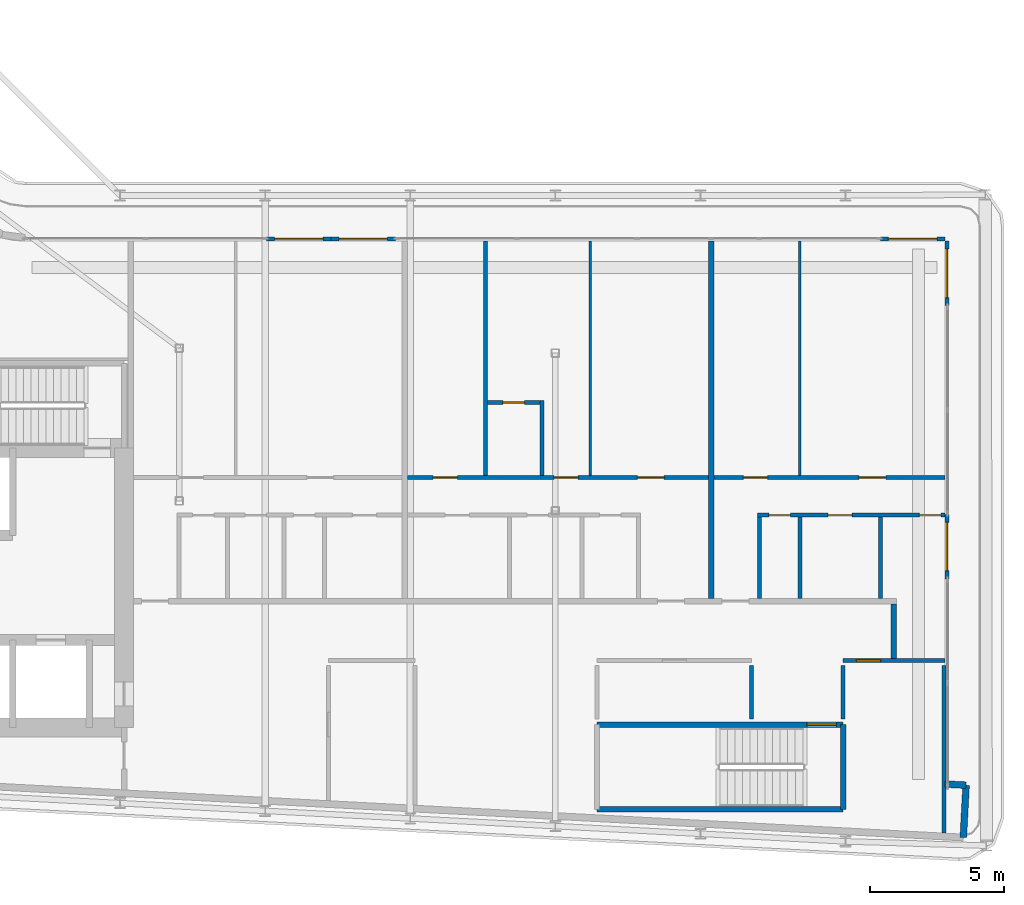
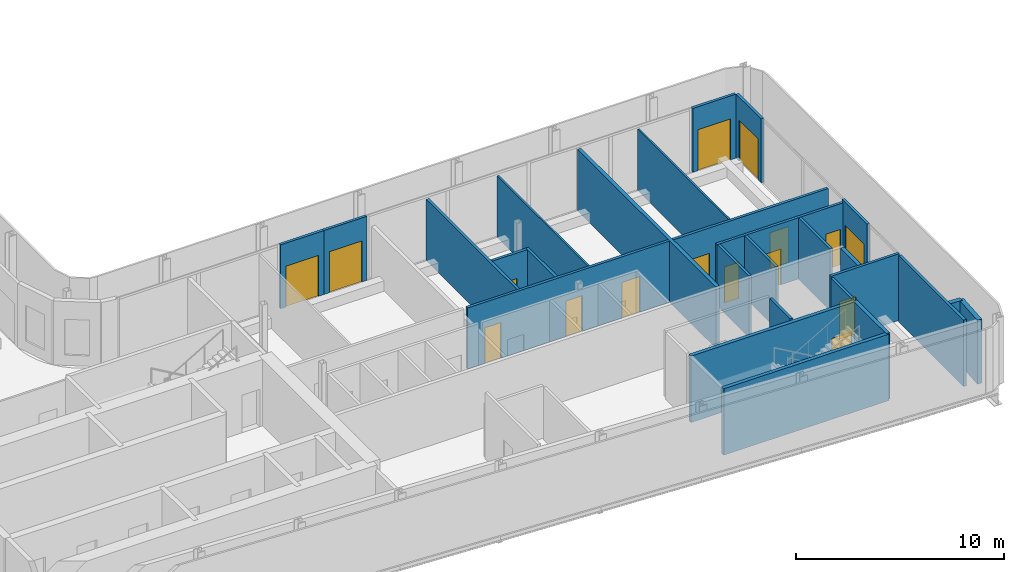
# One storey, part 12 of 22: 27 walls, 16 doors, 16 openings.
"""IFC4 building model written with IfcOpenShell, lengths in metres."""

from ifc_helpers import new_model, si_unit, direction, frame, frame_2d, origin, place, context, subcontext, project, spatial, rectangle, extrude, source, transform, mapped, material, layer, layer_set, type_object, element, fill, save


model = new_model("IFC4")

# Units and contexts
model_context = context("Model", 3, precision=1e-05, world=origin(), true_north=direction((0.0, 1.0)))
body_context = subcontext(model_context, "Body", "Model", "MODEL_VIEW")
ifc_project = project(units=[si_unit("LENGTHUNIT", "METRE"), si_unit("AREAUNIT", "SQUARE_METRE"), si_unit("VOLUMEUNIT", "CUBIC_METRE"), si_unit("PLANEANGLEUNIT", "RADIAN"), si_unit("MASSUNIT", "GRAM", prefix="KILO")], contexts=[model_context])

# Site, building, storey
site_placement = place(None, origin())
site = spatial("IfcSite", under=ifc_project, at=site_placement, CompositionType="ELEMENT")
building_placement = place(site_placement, origin())
building = spatial("IfcBuilding", under=site, at=building_placement, Name="Kheshtan School and Residences Tower", CompositionType="ELEMENT")
storey_placement = place(building_placement, frame((0.0, 0.0, 251.300048828125)))
storey = spatial("IfcBuildingStorey", under=building, at=storey_placement, Name="L59", CompositionType="ELEMENT", Elevation=251.300048828125)

# Walls
ifc_material_1 = material(Name="Gypsum board on steel studs with fire boards", Category="steel")
ifc_layer_1 = layer(ifc_material_1, 0.199951171875)
ifc_layer_set_1 = layer_set([ifc_layer_1], Name="Corridor wall 200")
wall_type_1 = type_object("IfcWallType", Name="Corridor wall 200", PredefinedType="PARTITIONING", material=ifc_layer_set_1)
wall_1_placement = place(storey_placement, frame((81.800048828125, 28.3740234375, 0.0), z_axis=(0.0, 0.0, 1.0), x_axis=(0.0, 1.0, 0.0)))
element("IfcWall", 1, at=wall_1_placement, inside=storey, type_object=wall_type_1, Name="Partition L59-056", PredefinedType="PARTITIONING", context=body_context, shape_type="SweptSolid", body=[
    extrude(rectangle(XDim=2.02587890625, YDim=0.199951171875, at=frame_2d((1.012939453125, 0.0))), origin(), (0.0, 0.0, 1.0), 3.599853515625),
])
ifc_material_2 = material(Name="Concrete C40/50 with ceramic cladding and mineral wool insulation", Category="concrete")
ifc_layer_2 = layer(ifc_material_2, 0.25)
ifc_layer_set_2 = layer_set([ifc_layer_2], Name="External wall 250 ceramic clad")
wall_type_2 = type_object("IfcWallType", Name="External wall 250 ceramic clad", PredefinedType="SOLIDWALL", material=ifc_layer_set_2)
wall_2_placement = place(storey_placement, frame((83.70703125, 23.69189453125, 0.0), z_axis=(0.0, 0.0, 1.0), x_axis=(0.998561284263, -0.053622398031, 0.0)))
element("IfcWall", 2, at=wall_2_placement, inside=storey, type_object=wall_type_2, Name="External wall L59 14", PredefinedType="SOLIDWALL", context=body_context, shape_type="SweptSolid", body=[
    extrude(rectangle(XDim=0.783203125, YDim=0.25, at=frame_2d((0.3916015625, 0.0))), origin(), (0.0, 0.0, 1.0), 3.75),
])
wall_3_placement = place(storey_placement, frame((84.489013671875, 23.64990234375, 0.0), z_axis=(0.0, 0.0, 1.0), x_axis=(-0.052841433274, -0.998602915542, 0.0)))
element("IfcWall", 3, at=wall_3_placement, inside=storey, type_object=wall_type_2, Name="External wall L59 15", PredefinedType="SOLIDWALL", context=body_context, shape_type="SweptSolid", body=[
    extrude(rectangle(XDim=1.94970703125, YDim=0.25, at=frame_2d((0.974853515625, 0.0))), origin(), (0.0, 0.0, 1.0), 3.75),
])

# Wall, opening, door
ifc_material_3 = material(Name="Aluminium frame wall with insulated infill", Category="aluminium")
ifc_layer_3 = layer(ifc_material_3, 0.14990234375)
ifc_layer_set_3 = layer_set([ifc_layer_3], Name="Glazing frame wall 150")
wall_type_3 = type_object("IfcWallType", Name="Glazing frame wall 150", PredefinedType="SOLIDWALL", material=ifc_layer_set_3)
wall_4_placement = place(storey_placement, frame((58.452880859375, 43.97509765625, 0.0), z_axis=(0.0, 0.0, 1.0), x_axis=(1.0, 0.0, 0.0)))
wall_4 = element("IfcWall", 4, at=wall_4_placement, inside=storey, type_object=wall_type_3, Name="Balcony door wall L59 12.1", PredefinedType="SOLIDWALL", context=body_context, shape_type="SweptSolid", body=[
    extrude(rectangle(XDim=2.400146484375, YDim=0.14990234375, at=frame_2d((1.2001953125, 0.0))), origin(), (0.0, 0.0, 1.0), 3.75),
])
opening_1_placement = place(wall_4_placement, frame((0.300048828125, 0.0, 0.0)))
opening_1 = element("IfcOpeningElement", 5, at=opening_1_placement, cuts=wall_4, Name="Opening BD", PredefinedType="OPENING", context=body_context, shape_type="SweptSolid", body=[
    extrude(rectangle(XDim=1.800048828125, YDim=2.39990234375, at=frame_2d((0.89990234375, 1.199951171875))), frame((0.0, 0.0849609375, 0.0), z_axis=(0.0, -1.0, 0.0), x_axis=(1.0, 0.0, 0.0)), (0.0, 0.0, 1.0), 0.169921875),
])
ifc_material_4 = material(Name="Clear low-e glass in thermally broken aluminium frame", Category="aluminium")
door_type_1 = type_object("IfcDoorType", Name="Balcony sliding door", OperationType="SLIDING_TO_LEFT", PredefinedType="DOOR", material=ifc_material_4)
shared_shape_1 = source(origin(), body_context, "Body", "SweptSolid", [
    extrude(rectangle(XDim=1.800048828125, YDim=2.39990234375, at=frame_2d((0.89990234375, 1.199951171875))), frame((0.0, 0.02490234375, 0.0), z_axis=(0.0, -1.0, 0.0), x_axis=(1.0, 0.0, 0.0)), (0.0, 0.0, 1.0), 0.050048828125),
])
door_1_placement = place(opening_1_placement, origin())
door_1 = element("IfcDoor", 6, at=door_1_placement, inside=storey, type_object=door_type_1, Name="Balcony door L59 12.1", OperationType="SLIDING_TO_LEFT", OverallHeight=2.39990234375, OverallWidth=1.800048828125, PredefinedType="DOOR", context=body_context, shape_type="MappedRepresentation", body=[
    mapped(shared_shape_1, transform((0.0, 0.0, 0.0), x_axis=(1.0, 0.0, 0.0), y_axis=(0.0, 1.0, 0.0), z_axis=(0.0, 0.0, 1.0), scale=1.0)),
])
fill(opening_1, door_1)

wall_5_placement = place(storey_placement, frame((60.85302734375, 43.97509765625, 0.0), z_axis=(0.0, 0.0, 1.0), x_axis=(1.0, 0.0, 0.0)))
wall_5 = element("IfcWall", 7, at=wall_5_placement, inside=storey, type_object=wall_type_3, Name="Balcony door wall L59 12.2", PredefinedType="SOLIDWALL", context=body_context, shape_type="SweptSolid", body=[
    extrude(rectangle(XDim=2.39990234375, YDim=0.14990234375, at=frame_2d((1.199951171875, 0.0))), origin(), (0.0, 0.0, 1.0), 3.75),
])
opening_2_placement = place(wall_5_placement, frame((0.300048828125, 0.0, 0.0)))
opening_2 = element("IfcOpeningElement", 8, at=opening_2_placement, cuts=wall_5, Name="Opening BD", PredefinedType="OPENING", context=body_context, shape_type="SweptSolid", body=[
    extrude(rectangle(XDim=1.800048828125, YDim=2.39990234375, at=frame_2d((0.89990234375, 1.199951171875))), frame((0.0, 0.0849609375, 0.0), z_axis=(0.0, -1.0, 0.0), x_axis=(1.0, 0.0, 0.0)), (0.0, 0.0, 1.0), 0.169921875),
])
door_2_placement = place(opening_2_placement, origin())
door_2 = element("IfcDoor", 9, at=door_2_placement, inside=storey, type_object=door_type_1, Name="Balcony door L59 12.2", OperationType="SLIDING_TO_LEFT", OverallHeight=2.39990234375, OverallWidth=1.800048828125, PredefinedType="DOOR", context=body_context, shape_type="MappedRepresentation", body=[
    mapped(shared_shape_1, transform((0.0, 0.0, 0.0), x_axis=(1.0, 0.0, 0.0), y_axis=(0.0, 1.0, 0.0), z_axis=(0.0, 0.0, 1.0), scale=1.0)),
])
fill(opening_2, door_2)

wall_6_placement = place(storey_placement, frame((81.300048828125, 43.97509765625, 0.0), z_axis=(0.0, 0.0, 1.0), x_axis=(1.0, 0.0, 0.0)))
wall_6 = element("IfcWall", 10, at=wall_6_placement, inside=storey, type_object=wall_type_3, Name="Balcony door wall L59 12.3", PredefinedType="SOLIDWALL", context=body_context, shape_type="SweptSolid", body=[
    extrude(rectangle(XDim=2.39990234375, YDim=0.14990234375, at=frame_2d((1.199951171875, 0.0))), origin(), (0.0, 0.0, 1.0), 3.75),
])
opening_3_placement = place(wall_6_placement, frame((0.300048828125, 0.0, 0.0)))
opening_3 = element("IfcOpeningElement", 11, at=opening_3_placement, cuts=wall_6, Name="Opening BD", PredefinedType="OPENING", context=body_context, shape_type="SweptSolid", body=[
    extrude(rectangle(XDim=1.800048828125, YDim=2.39990234375, at=frame_2d((0.89990234375, 1.199951171875))), frame((0.0, 0.0849609375, 0.0), z_axis=(0.0, -1.0, 0.0), x_axis=(1.0, 0.0, 0.0)), (0.0, 0.0, 1.0), 0.169921875),
])
door_3_placement = place(opening_3_placement, origin())
door_3 = element("IfcDoor", 12, at=door_3_placement, inside=storey, type_object=door_type_1, Name="Balcony door L59 12.3", OperationType="SLIDING_TO_LEFT", OverallHeight=2.39990234375, OverallWidth=1.800048828125, PredefinedType="DOOR", context=body_context, shape_type="MappedRepresentation", body=[
    mapped(shared_shape_1, transform((0.0, 0.0, 0.0), x_axis=(1.0, 0.0, 0.0), y_axis=(0.0, 1.0, 0.0), z_axis=(0.0, 0.0, 1.0), scale=1.0)),
])
fill(opening_3, door_3)

wall_7_placement = place(storey_placement, frame((83.77490234375, 43.89990234375, 0.0), z_axis=(0.0, 0.0, 1.0), x_axis=(0.0, -1.0, 0.0)))
wall_7 = element("IfcWall", 13, at=wall_7_placement, inside=storey, type_object=wall_type_3, Name="Balcony door wall L59 13.1", PredefinedType="SOLIDWALL", context=body_context, shape_type="SweptSolid", body=[
    extrude(rectangle(XDim=2.39990234375, YDim=0.14990234375, at=frame_2d((1.199951171875, 0.0))), origin(), (0.0, 0.0, 1.0), 3.75),
])
opening_4_placement = place(wall_7_placement, frame((0.300048828125, 0.0, 0.0)))
opening_4 = element("IfcOpeningElement", 14, at=opening_4_placement, cuts=wall_7, Name="Opening BD", PredefinedType="OPENING", context=body_context, shape_type="SweptSolid", body=[
    extrude(rectangle(XDim=1.800048828125, YDim=2.39990234375, at=frame_2d((0.89990234375, 1.199951171875))), frame((0.0, 0.0849609375, 0.0), z_axis=(0.0, -1.0, 0.0), x_axis=(1.0, 0.0, 0.0)), (0.0, 0.0, 1.0), 0.169921875),
])
door_4_placement = place(opening_4_placement, origin())
door_4 = element("IfcDoor", 15, at=door_4_placement, inside=storey, type_object=door_type_1, Name="Balcony door L59 13.1", OperationType="SLIDING_TO_LEFT", OverallHeight=2.39990234375, OverallWidth=1.800048828125, PredefinedType="DOOR", context=body_context, shape_type="MappedRepresentation", body=[
    mapped(shared_shape_1, transform((0.0, 0.0, 0.0), x_axis=(1.0, 0.0, 0.0), y_axis=(0.0, 1.0, 0.0), z_axis=(0.0, 0.0, 1.0), scale=1.0)),
])
fill(opening_4, door_4)

wall_8_placement = place(storey_placement, frame((83.77490234375, 33.73291015625, 0.0), z_axis=(0.0, 0.0, 1.0), x_axis=(0.0, -1.0, 0.0)))
wall_8 = element("IfcWall", 16, at=wall_8_placement, inside=storey, type_object=wall_type_3, Name="Balcony door wall L59 13.2", PredefinedType="SOLIDWALL", context=body_context, shape_type="SweptSolid", body=[
    extrude(rectangle(XDim=2.39892578125, YDim=0.14990234375, at=frame_2d((1.199462890625, 0.0))), origin(), (0.0, 0.0, 1.0), 3.75),
])
opening_5_placement = place(wall_8_placement, frame((0.300048828125, 0.0, 0.0)))
opening_5 = element("IfcOpeningElement", 17, at=opening_5_placement, cuts=wall_8, Name="Opening BD", PredefinedType="OPENING", context=body_context, shape_type="SweptSolid", body=[
    extrude(rectangle(XDim=1.800048828125, YDim=2.39990234375, at=frame_2d((0.89990234375, 1.199951171875))), frame((0.0, 0.0849609375, 0.0), z_axis=(0.0, -1.0, 0.0), x_axis=(1.0, 0.0, 0.0)), (0.0, 0.0, 1.0), 0.169921875),
])
door_5_placement = place(opening_5_placement, origin())
door_5 = element("IfcDoor", 18, at=door_5_placement, inside=storey, type_object=door_type_1, Name="Balcony door L59 13.2", OperationType="SLIDING_TO_LEFT", OverallHeight=2.39990234375, OverallWidth=1.800048828125, PredefinedType="DOOR", context=body_context, shape_type="MappedRepresentation", body=[
    mapped(shared_shape_1, transform((0.0, 0.0, 0.0), x_axis=(1.0, 0.0, 0.0), y_axis=(0.0, 1.0, 0.0), z_axis=(0.0, 0.0, 1.0), scale=1.0)),
])
fill(opening_5, door_5)

# Walls
ifc_material_5 = material(Name="Gypsum board on steel studs", Category="steel")
ifc_layer_4 = layer(ifc_material_5, 0.10009765625)
ifc_layer_set_4 = layer_set([ifc_layer_4], Name="Gypsum partition 100")
wall_type_4 = type_object("IfcWallType", Name="Gypsum partition 100", PredefinedType="PARTITIONING", material=ifc_layer_set_4)
for number, where, z_axis, x_axis, name in (
    (19, (70.5, 35.175048828125, 0.0), (0.0, 0.0, 1.0), (0.0, 1.0, 0.0), "Partition L59-047"),
    (20, (78.300048828125, 35.175048828125, 0.0), (0.0, 0.0, 1.0), (0.0, 1.0, 0.0), "Partition L59-054"),
):
    element("IfcWall", number, at=place(storey_placement, frame(where, z_axis=z_axis, x_axis=x_axis)), inside=storey, type_object=wall_type_4, Name=name, PredefinedType="PARTITIONING", context=body_context, shape_type="SweptSolid", body=[
        extrude(rectangle(XDim=8.724853515625, YDim=0.10009765625, at=frame_2d((4.3623046875, 0.0))), origin(), (0.0, 0.0, 1.0), 3.599853515625),
    ])
ifc_material_6 = material(Name="Fire-board shaft wall system")
ifc_layer_5 = layer(ifc_material_6, 0.14990234375)
ifc_layer_set_5 = layer_set([ifc_layer_5], Name="Service room wall 150")
wall_type_5 = type_object("IfcWallType", Name="Service room wall 150", PredefinedType="PARTITIONING", material=ifc_layer_set_5)
wall_9_placement = place(storey_placement, frame((76.510009765625, 26.1201171875, 0.0), z_axis=(0.0, 0.0, 1.0), x_axis=(0.0, 1.0, 0.0)))
element("IfcWall", 21, at=wall_9_placement, inside=storey, type_object=wall_type_5, Name="Service room wall", PredefinedType="PARTITIONING", context=body_context, shape_type="SweptSolid", body=[
    extrude(rectangle(XDim=1.98486328125, YDim=0.14990234375, at=frame_2d((0.992431640625, 0.0))), origin(), (0.0, 0.0, 1.0), 3.89990234375),
])

# Wall, opening, door
wall_10_placement = place(storey_placement, frame((79.909912109375, 28.300048828125, 0.0), z_axis=(0.0, 0.0, 1.0), x_axis=(1.0, 0.0, 0.0)))
wall_10 = element("IfcWall", 22, at=wall_10_placement, inside=storey, type_object=wall_type_5, Name="Service room wall", PredefinedType="PARTITIONING", context=body_context, shape_type="SweptSolid", body=[
    extrude(rectangle(XDim=3.7880859375, YDim=0.14990234375, at=frame_2d((1.89404296875, 0.0))), origin(), (0.0, 0.0, 1.0), 3.89990234375),
])
opening_6_placement = place(wall_10_placement, frame((0.4951171875, 0.0, 0.0)))
opening_6 = element("IfcOpeningElement", 23, at=opening_6_placement, cuts=wall_10, Name="Opening SR90", PredefinedType="OPENING", context=body_context, shape_type="SweptSolid", body=[
    extrude(rectangle(XDim=0.89990234375, YDim=2.199951171875, at=frame_2d((0.449951171875, 1.10009765625))), frame((0.0, 0.0849609375, 0.0), z_axis=(0.0, -1.0, 0.0), x_axis=(1.0, 0.0, 0.0)), (0.0, 0.0, 1.0), 0.169921875),
])
ifc_material_7 = material(Name="Steel door leaf, galvanised", Category="steel")
door_type_2 = type_object("IfcDoorType", Name="Service room door 900 steel 90 min", OperationType="SINGLE_SWING_LEFT", PredefinedType="DOOR", material=ifc_material_7)
shared_shape_2 = source(origin(), body_context, "Body", "SweptSolid", [
    extrude(rectangle(XDim=0.89990234375, YDim=2.199951171875, at=frame_2d((0.449951171875, 1.10009765625))), frame((0.0, 0.02490234375, 0.0), z_axis=(0.0, -1.0, 0.0), x_axis=(1.0, 0.0, 0.0)), (0.0, 0.0, 1.0), 0.050048828125),
])
door_6_placement = place(opening_6_placement, origin())
door_6 = element("IfcDoor", 24, at=door_6_placement, inside=storey, type_object=door_type_2, Name="Service room door", OperationType="SINGLE_SWING_RIGHT", OverallHeight=2.199951171875, OverallWidth=0.89990234375, PredefinedType="DOOR", context=body_context, shape_type="MappedRepresentation", body=[
    mapped(shared_shape_2, transform((0.0, 0.0, 0.0), x_axis=(1.0, 0.0, 0.0), y_axis=(0.0, 1.0, 0.0), z_axis=(0.0, 0.0, 1.0), scale=1.0)),
])
fill(opening_6, door_6)

# Walls
wall_11_placement = place(storey_placement, frame((79.909912109375, 26.1201171875, 0.0), z_axis=(0.0, 0.0, 1.0), x_axis=(0.0, 1.0, 0.0)))
element("IfcWall", 25, at=wall_11_placement, inside=storey, type_object=wall_type_5, Name="Service room wall", PredefinedType="PARTITIONING", context=body_context, shape_type="SweptSolid", body=[
    extrude(rectangle(XDim=1.98486328125, YDim=0.14990234375, at=frame_2d((0.992431640625, 0.0))), origin(), (0.0, 0.0, 1.0), 3.89990234375),
])
wall_12_placement = place(storey_placement, frame((83.669921875, 21.867919921875, 0.0), z_axis=(0.0, 0.0, 1.0), x_axis=(0.0, 1.0, 0.0)))
element("IfcWall", 26, at=wall_12_placement, inside=storey, type_object=wall_type_5, Name="Service room wall", PredefinedType="PARTITIONING", context=body_context, shape_type="SweptSolid", body=[
    extrude(rectangle(XDim=6.237060546875, YDim=0.14990234375, at=frame_2d((3.11865234375, 0.0))), origin(), (0.0, 0.0, 1.0), 3.89990234375),
])
ifc_material_8 = material(Name="Concrete C40/50", Category="concrete")
ifc_layer_6 = layer(ifc_material_8, 0.199951171875)
ifc_layer_set_6 = layer_set([ifc_layer_6], Name="Stair enclosure wall 200 Concrete C40/50")
wall_type_6 = type_object("IfcWallType", Name="Stair enclosure wall 200 Concrete C40/50", PredefinedType="SHEAR", material=ifc_layer_set_6)
wall_13_placement = place(storey_placement, frame((70.75, 22.75, 0.0), z_axis=(0.0, 0.0, 1.0), x_axis=(1.0, 0.0, 0.0)))
element("IfcWall", 27, at=wall_13_placement, inside=storey, type_object=wall_type_6, Name="Stair enclosure wall ST5", PredefinedType="SHEAR", context=body_context, shape_type="SweptSolid", body=[
    extrude(rectangle(XDim=9.159912109375, YDim=0.199951171875, at=frame_2d((4.580078125, 0.0))), origin(), (0.0, 0.0, 1.0), 3.89990234375),
])

# Wall, opening, door
wall_14_placement = place(storey_placement, frame((70.75, 25.89990234375, 0.0), z_axis=(0.0, 0.0, 1.0), x_axis=(1.0, 0.0, 0.0)))
wall_14 = element("IfcWall", 28, at=wall_14_placement, inside=storey, type_object=wall_type_6, Name="Stair enclosure wall ST5", PredefinedType="SHEAR", context=body_context, shape_type="SweptSolid", body=[
    extrude(rectangle(XDim=9.159912109375, YDim=0.199951171875, at=frame_2d((4.580078125, 0.0))), origin(), (0.0, 0.0, 1.0), 3.89990234375),
])
opening_7_placement = place(wall_14_placement, frame((7.81005859375, 0.0, 0.0)))
opening_7 = element("IfcOpeningElement", 29, at=opening_7_placement, cuts=wall_14, Name="Opening ST5D", PredefinedType="OPENING", context=body_context, shape_type="SweptSolid", body=[
    extrude(rectangle(XDim=1.10009765625, YDim=2.199951171875, at=frame_2d((0.550048828125, 1.10009765625))), frame((0.0, 0.10986328125, 0.0), z_axis=(0.0, -1.0, 0.0), x_axis=(1.0, 0.0, 0.0)), (0.0, 0.0, 1.0), 0.219970703125),
])
door_type_3 = type_object("IfcDoorType", Name="Stair door 1100 steel 90 min", OperationType="SINGLE_SWING_LEFT", PredefinedType="DOOR", material=ifc_material_7)
shared_shape_3 = source(origin(), body_context, "Body", "SweptSolid", [
    extrude(rectangle(XDim=1.10009765625, YDim=2.199951171875, at=frame_2d((0.550048828125, 1.10009765625))), frame((0.0, 0.02490234375, 0.0), z_axis=(0.0, -1.0, 0.0), x_axis=(1.0, 0.0, 0.0)), (0.0, 0.0, 1.0), 0.050048828125),
])
door_7_placement = place(opening_7_placement, origin())
door_7 = element("IfcDoor", 30, at=door_7_placement, inside=storey, type_object=door_type_3, Name="Stair ST5 door", OperationType="SINGLE_SWING_LEFT", OverallHeight=2.199951171875, OverallWidth=1.10009765625, PredefinedType="DOOR", context=body_context, shape_type="MappedRepresentation", body=[
    mapped(shared_shape_3, transform((0.0, 0.0, 0.0), x_axis=(1.0, 0.0, 0.0), y_axis=(0.0, 1.0, 0.0), z_axis=(0.0, 0.0, 1.0), scale=1.0)),
])
fill(opening_7, door_7)

# Walls
wall_15_placement = place(storey_placement, frame((79.909912109375, 22.75, 0.0), z_axis=(0.0, 0.0, 1.0), x_axis=(0.0, 1.0, 0.0)))
element("IfcWall", 31, at=wall_15_placement, inside=storey, type_object=wall_type_6, Name="Stair enclosure wall ST5", PredefinedType="SHEAR", context=body_context, shape_type="SweptSolid", body=[
    extrude(rectangle(XDim=3.14990234375, YDim=0.199951171875, at=frame_2d((1.574951171875, 0.0))), origin(), (0.0, 0.0, 1.0), 3.89990234375),
])
ifc_material_9 = material(Name="Twin gypsum board on steel studs with mineral wool", Category="steel")
ifc_layer_7 = layer(ifc_material_9, 0.199951171875)
ifc_layer_set_7 = layer_set([ifc_layer_7], Name="Unit demising wall 200")
wall_type_7 = type_object("IfcWallType", Name="Unit demising wall 200", PredefinedType="PARTITIONING", material=ifc_layer_set_7)
wall_16_placement = place(storey_placement, frame((75.0, 30.60009765625, 0.0), z_axis=(0.0, 0.0, 1.0), x_axis=(0.0, 1.0, 0.0)))
element("IfcWall", 32, at=wall_16_placement, inside=storey, type_object=wall_type_7, Name="Partition L59-049", PredefinedType="PARTITIONING", context=body_context, shape_type="SweptSolid", body=[
    extrude(rectangle(XDim=13.2998046875, YDim=0.199951171875, at=frame_2d((6.64990234375, 0.0))), origin(), (0.0, 0.0, 1.0), 3.599853515625),
])

# Wall, openings, doors
ifc_material_10 = material(Name="Moisture-resistant gypsum board on steel studs", Category="steel")
ifc_layer_8 = layer(ifc_material_10, 0.14990234375)
ifc_layer_set_8 = layer_set([ifc_layer_8], Name="Wet-room partition 150")
wall_type_8 = type_object("IfcWallType", Name="Wet-room partition 150", PredefinedType="PARTITIONING", material=ifc_layer_set_8)
wall_17_placement = place(storey_placement, frame((63.699951171875, 35.10009765625, 0.0), z_axis=(0.0, 0.0, 1.0), x_axis=(1.0, 0.0, 0.0)))
wall_17 = element("IfcWall", 33, at=wall_17_placement, inside=storey, type_object=wall_type_8, Name="Partition L59-041", PredefinedType="PARTITIONING", context=body_context, shape_type="SweptSolid", body=[
    extrude(rectangle(XDim=11.199951171875, YDim=0.14990234375, at=frame_2d((5.60009765625, 0.0))), origin(), (0.0, 0.0, 1.0), 3.599853515625),
])
opening_8_placement = place(wall_17_placement, frame((0.949951171875, 0.0, 0.0)))
opening_8 = element("IfcOpeningElement", 34, at=opening_8_placement, cuts=wall_17, Name="Opening D58-009", PredefinedType="OPENING", context=body_context, shape_type="SweptSolid", body=[
    extrude(rectangle(XDim=0.89990234375, YDim=2.10009765625, at=frame_2d((0.449951171875, 1.050048828125))), frame((0.0, 0.0849609375, 0.0), z_axis=(0.0, -1.0, 0.0), x_axis=(1.0, 0.0, 0.0)), (0.0, 0.0, 1.0), 0.169921875),
])
opening_9_placement = place(wall_17_placement, frame((8.550048828125, 0.0, 0.0)))
opening_9 = element("IfcOpeningElement", 35, at=opening_9_placement, cuts=wall_17, Name="Opening D58-013", PredefinedType="OPENING", context=body_context, shape_type="SweptSolid", body=[
    extrude(rectangle(XDim=1.0, YDim=2.10009765625, at=frame_2d((0.5, 1.050048828125))), frame((0.0, 0.0849609375, 0.0), z_axis=(0.0, -1.0, 0.0), x_axis=(1.0, 0.0, 0.0)), (0.0, 0.0, 1.0), 0.169921875),
])
opening_10_placement = place(wall_17_placement, frame((5.449951171875, 0.0, 0.0)))
opening_10 = element("IfcOpeningElement", 36, at=opening_10_placement, cuts=wall_17, Name="Opening D58-014", PredefinedType="OPENING", context=body_context, shape_type="SweptSolid", body=[
    extrude(rectangle(XDim=0.89990234375, YDim=2.10009765625, at=frame_2d((0.449951171875, 1.050048828125))), frame((0.0, 0.0849609375, 0.0), z_axis=(0.0, -1.0, 0.0), x_axis=(1.0, 0.0, 0.0)), (0.0, 0.0, 1.0), 0.169921875),
])
ifc_material_11 = material(Name="Veneered timber door leaf", Category="wood")
door_type_4 = type_object("IfcDoorType", Name="Door 1000 x 2100", OperationType="SINGLE_SWING_LEFT", PredefinedType="DOOR", material=ifc_material_11)
shared_shape_4 = source(origin(), body_context, "Body", "SweptSolid", [
    extrude(rectangle(XDim=1.0, YDim=2.10009765625, at=frame_2d((0.5, 1.050048828125))), frame((0.0, 0.02490234375, 0.0), z_axis=(0.0, -1.0, 0.0), x_axis=(1.0, 0.0, 0.0)), (0.0, 0.0, 1.0), 0.050048828125),
])
door_8_placement = place(opening_9_placement, origin())
door_8 = element("IfcDoor", 37, at=door_8_placement, inside=storey, type_object=door_type_4, Name="Door D58-013", OperationType="SINGLE_SWING_LEFT", OverallHeight=2.10009765625, OverallWidth=1.0, PredefinedType="DOOR", context=body_context, shape_type="MappedRepresentation", body=[
    mapped(shared_shape_4, transform((0.0, 0.0, 0.0), x_axis=(1.0, 0.0, 0.0), y_axis=(0.0, 1.0, 0.0), z_axis=(0.0, 0.0, 1.0), scale=1.0)),
])
fill(opening_9, door_8)
door_type_5 = type_object("IfcDoorType", Name="Door 900 x 2100", OperationType="SINGLE_SWING_LEFT", PredefinedType="DOOR", material=ifc_material_11)
shared_shape_5 = source(origin(), body_context, "Body", "SweptSolid", [
    extrude(rectangle(XDim=0.89990234375, YDim=2.10009765625, at=frame_2d((0.449951171875, 1.050048828125))), frame((0.0, 0.02490234375, 0.0), z_axis=(0.0, -1.0, 0.0), x_axis=(1.0, 0.0, 0.0)), (0.0, 0.0, 1.0), 0.050048828125),
])
door_9_placement = place(opening_8_placement, origin())
door_9 = element("IfcDoor", 38, at=door_9_placement, inside=storey, type_object=door_type_5, Name="Door D58-009", OperationType="SINGLE_SWING_RIGHT", OverallHeight=2.10009765625, OverallWidth=0.89990234375, PredefinedType="DOOR", context=body_context, shape_type="MappedRepresentation", body=[
    mapped(shared_shape_5, transform((0.0, 0.0, 0.0), x_axis=(1.0, 0.0, 0.0), y_axis=(0.0, 1.0, 0.0), z_axis=(0.0, 0.0, 1.0), scale=1.0)),
])
fill(opening_8, door_9)
door_10_placement = place(opening_10_placement, origin())
door_10 = element("IfcDoor", 39, at=door_10_placement, inside=storey, type_object=door_type_5, Name="Door D58-014", OperationType="SINGLE_SWING_LEFT", OverallHeight=2.10009765625, OverallWidth=0.89990234375, PredefinedType="DOOR", context=body_context, shape_type="MappedRepresentation", body=[
    mapped(shared_shape_5, transform((0.0, 0.0, 0.0), x_axis=(1.0, 0.0, 0.0), y_axis=(0.0, 1.0, 0.0), z_axis=(0.0, 0.0, 1.0), scale=1.0)),
])
fill(opening_10, door_10)

# Wall
wall_18_placement = place(storey_placement, frame((66.60009765625, 35.175048828125, 0.0), z_axis=(0.0, 0.0, 1.0), x_axis=(0.0, 1.0, 0.0)))
element("IfcWall", 40, at=wall_18_placement, inside=storey, type_object=wall_type_8, Name="Partition L59-042", PredefinedType="PARTITIONING", context=body_context, shape_type="SweptSolid", body=[
    extrude(rectangle(XDim=8.724853515625, YDim=0.14990234375, at=frame_2d((4.3623046875, 0.0))), origin(), (0.0, 0.0, 1.0), 3.599853515625),
])

# Wall, opening, door
wall_19_placement = place(storey_placement, frame((66.675048828125, 37.89990234375, 0.0), z_axis=(0.0, 0.0, 1.0), x_axis=(1.0, 0.0, 0.0)))
wall_19 = element("IfcWall", 41, at=wall_19_placement, inside=storey, type_object=wall_type_8, Name="Partition L59-043", PredefinedType="PARTITIONING", context=body_context, shape_type="SweptSolid", body=[
    extrude(rectangle(XDim=1.949951171875, YDim=0.14990234375, at=frame_2d((0.97509765625, 0.0))), origin(), (0.0, 0.0, 1.0), 3.599853515625),
])
opening_11_placement = place(wall_19_placement, frame((0.574951171875, 0.0, 0.0)))
opening_11 = element("IfcOpeningElement", 42, at=opening_11_placement, cuts=wall_19, Name="Opening D58-010", PredefinedType="OPENING", context=body_context, shape_type="SweptSolid", body=[
    extrude(rectangle(XDim=0.800048828125, YDim=2.10009765625, at=frame_2d((0.39990234375, 1.050048828125))), frame((0.0, 0.0849609375, 0.0), z_axis=(0.0, -1.0, 0.0), x_axis=(1.0, 0.0, 0.0)), (0.0, 0.0, 1.0), 0.169921875),
])
door_type_6 = type_object("IfcDoorType", Name="Door 800 x 2100", OperationType="SINGLE_SWING_LEFT", PredefinedType="DOOR", material=ifc_material_11)
shared_shape_6 = source(origin(), body_context, "Body", "SweptSolid", [
    extrude(rectangle(XDim=0.800048828125, YDim=2.10009765625, at=frame_2d((0.39990234375, 1.050048828125))), frame((0.0, 0.02490234375, 0.0), z_axis=(0.0, -1.0, 0.0), x_axis=(1.0, 0.0, 0.0)), (0.0, 0.0, 1.0), 0.050048828125),
])
door_11_placement = place(opening_11_placement, origin())
door_11 = element("IfcDoor", 43, at=door_11_placement, inside=storey, type_object=door_type_6, Name="Door D58-010", OperationType="SINGLE_SWING_LEFT", OverallHeight=2.10009765625, OverallWidth=0.800048828125, PredefinedType="DOOR", context=body_context, shape_type="MappedRepresentation", body=[
    mapped(shared_shape_6, transform((0.0, 0.0, 0.0), x_axis=(1.0, 0.0, 0.0), y_axis=(0.0, 1.0, 0.0), z_axis=(0.0, 0.0, 1.0), scale=1.0)),
])
fill(opening_11, door_11)

# Wall
wall_20_placement = place(storey_placement, frame((68.699951171875, 35.175048828125, 0.0), z_axis=(0.0, 0.0, 1.0), x_axis=(0.0, 1.0, 0.0)))
element("IfcWall", 44, at=wall_20_placement, inside=storey, type_object=wall_type_8, Name="Partition L59-045", PredefinedType="PARTITIONING", context=body_context, shape_type="SweptSolid", body=[
    extrude(rectangle(XDim=2.800048828125, YDim=0.14990234375, at=frame_2d((1.39990234375, 0.0))), origin(), (0.0, 0.0, 1.0), 3.599853515625),
])

# Wall, openings, doors
wall_21_placement = place(storey_placement, frame((75.10009765625, 35.10009765625, 0.0), z_axis=(0.0, 0.0, 1.0), x_axis=(1.0, 0.0, 0.0)))
wall_21 = element("IfcWall", 45, at=wall_21_placement, inside=storey, type_object=wall_type_8, Name="Partition L59-050", PredefinedType="PARTITIONING", context=body_context, shape_type="SweptSolid", body=[
    extrude(rectangle(XDim=8.599853515625, YDim=0.14990234375, at=frame_2d((4.2998046875, 0.0))), origin(), (0.0, 0.0, 1.0), 3.599853515625),
])
opening_12_placement = place(wall_21_placement, frame((1.10009765625, 0.0, 0.0)))
opening_12 = element("IfcOpeningElement", 46, at=opening_12_placement, cuts=wall_21, Name="Opening D58-017", PredefinedType="OPENING", context=body_context, shape_type="SweptSolid", body=[
    extrude(rectangle(XDim=0.89990234375, YDim=2.10009765625, at=frame_2d((0.449951171875, 1.050048828125))), frame((0.0, 0.0849609375, 0.0), z_axis=(0.0, -1.0, 0.0), x_axis=(1.0, 0.0, 0.0)), (0.0, 0.0, 1.0), 0.169921875),
])
opening_13_placement = place(wall_21_placement, frame((5.39990234375, 0.0, 0.0)))
opening_13 = element("IfcOpeningElement", 47, at=opening_13_placement, cuts=wall_21, Name="Opening D58-020", PredefinedType="OPENING", context=body_context, shape_type="SweptSolid", body=[
    extrude(rectangle(XDim=1.0, YDim=2.10009765625, at=frame_2d((0.5, 1.050048828125))), frame((0.0, 0.0849609375, 0.0), z_axis=(0.0, -1.0, 0.0), x_axis=(1.0, 0.0, 0.0)), (0.0, 0.0, 1.0), 0.169921875),
])
door_12_placement = place(opening_13_placement, origin())
door_12 = element("IfcDoor", 48, at=door_12_placement, inside=storey, type_object=door_type_4, Name="Door D58-020", OperationType="SINGLE_SWING_LEFT", OverallHeight=2.10009765625, OverallWidth=1.0, PredefinedType="DOOR", context=body_context, shape_type="MappedRepresentation", body=[
    mapped(shared_shape_4, transform((0.0, 0.0, 0.0), x_axis=(1.0, 0.0, 0.0), y_axis=(0.0, 1.0, 0.0), z_axis=(0.0, 0.0, 1.0), scale=1.0)),
])
fill(opening_13, door_12)
door_13_placement = place(opening_12_placement, origin())
door_13 = element("IfcDoor", 49, at=door_13_placement, inside=storey, type_object=door_type_5, Name="Door D58-017", OperationType="SINGLE_SWING_RIGHT", OverallHeight=2.10009765625, OverallWidth=0.89990234375, PredefinedType="DOOR", context=body_context, shape_type="MappedRepresentation", body=[
    mapped(shared_shape_5, transform((0.0, 0.0, 0.0), x_axis=(1.0, 0.0, 0.0), y_axis=(0.0, 1.0, 0.0), z_axis=(0.0, 0.0, 1.0), scale=1.0)),
])
fill(opening_12, door_13)

wall_22_placement = place(storey_placement, frame((76.72509765625, 33.699951171875, 0.0), z_axis=(0.0, 0.0, 1.0), x_axis=(1.0, 0.0, 0.0)))
wall_22 = element("IfcWall", 50, at=wall_22_placement, inside=storey, type_object=wall_type_8, Name="Partition L59-051", PredefinedType="PARTITIONING", context=body_context, shape_type="SweptSolid", body=[
    extrude(rectangle(XDim=6.974853515625, YDim=0.14990234375, at=frame_2d((3.4873046875, 0.0))), origin(), (0.0, 0.0, 1.0), 3.599853515625),
])
opening_14_placement = place(wall_22_placement, frame((6.02490234375, 0.0, 0.0)))
opening_14 = element("IfcOpeningElement", 51, at=opening_14_placement, cuts=wall_22, Name="Opening D58-016", PredefinedType="OPENING", context=body_context, shape_type="SweptSolid", body=[
    extrude(rectangle(XDim=0.800048828125, YDim=2.10009765625, at=frame_2d((0.39990234375, 1.050048828125))), frame((0.0, 0.0849609375, 0.0), z_axis=(0.0, -1.0, 0.0), x_axis=(1.0, 0.0, 0.0)), (0.0, 0.0, 1.0), 0.169921875),
])
opening_15_placement = place(wall_22_placement, frame((2.625, 0.0, 0.0)))
opening_15 = element("IfcOpeningElement", 52, at=opening_15_placement, cuts=wall_22, Name="Opening D58-019", PredefinedType="OPENING", context=body_context, shape_type="SweptSolid", body=[
    extrude(rectangle(XDim=0.89990234375, YDim=2.10009765625, at=frame_2d((0.449951171875, 1.050048828125))), frame((0.0, 0.0849609375, 0.0), z_axis=(0.0, -1.0, 0.0), x_axis=(1.0, 0.0, 0.0)), (0.0, 0.0, 1.0), 0.169921875),
])
opening_16_placement = place(wall_22_placement, frame((0.425048828125, 0.0, 0.0)))
opening_16 = element("IfcOpeningElement", 53, at=opening_16_placement, cuts=wall_22, Name="Opening D58-021", PredefinedType="OPENING", context=body_context, shape_type="SweptSolid", body=[
    extrude(rectangle(XDim=0.800048828125, YDim=2.10009765625, at=frame_2d((0.39990234375, 1.050048828125))), frame((0.0, 0.0849609375, 0.0), z_axis=(0.0, -1.0, 0.0), x_axis=(1.0, 0.0, 0.0)), (0.0, 0.0, 1.0), 0.169921875),
])
door_14_placement = place(opening_14_placement, origin())
door_14 = element("IfcDoor", 54, at=door_14_placement, inside=storey, type_object=door_type_6, Name="Door D58-016", OperationType="SINGLE_SWING_LEFT", OverallHeight=2.10009765625, OverallWidth=0.800048828125, PredefinedType="DOOR", context=body_context, shape_type="MappedRepresentation", body=[
    mapped(shared_shape_6, transform((0.0, 0.0, 0.0), x_axis=(1.0, 0.0, 0.0), y_axis=(0.0, 1.0, 0.0), z_axis=(0.0, 0.0, 1.0), scale=1.0)),
])
fill(opening_14, door_14)
door_15_placement = place(opening_16_placement, origin())
door_15 = element("IfcDoor", 55, at=door_15_placement, inside=storey, type_object=door_type_6, Name="Door D58-021", OperationType="SINGLE_SWING_LEFT", OverallHeight=2.10009765625, OverallWidth=0.800048828125, PredefinedType="DOOR", context=body_context, shape_type="MappedRepresentation", body=[
    mapped(shared_shape_6, transform((0.0, 0.0, 0.0), x_axis=(1.0, 0.0, 0.0), y_axis=(0.0, 1.0, 0.0), z_axis=(0.0, 0.0, 1.0), scale=1.0)),
])
fill(opening_16, door_15)
door_16_placement = place(opening_15_placement, origin())
door_16 = element("IfcDoor", 56, at=door_16_placement, inside=storey, type_object=door_type_5, Name="Door D58-019", OperationType="SINGLE_SWING_LEFT", OverallHeight=2.10009765625, OverallWidth=0.89990234375, PredefinedType="DOOR", context=body_context, shape_type="MappedRepresentation", body=[
    mapped(shared_shape_5, transform((0.0, 0.0, 0.0), x_axis=(1.0, 0.0, 0.0), y_axis=(0.0, 1.0, 0.0), z_axis=(0.0, 0.0, 1.0), scale=1.0)),
])
fill(opening_15, door_16)

# Walls
for number, where, z_axis, x_axis, name in (
    (57, (76.800048828125, 30.60009765625, 0.0), (0.0, 0.0, 1.0), (0.0, 1.0, 0.0), "Partition L59-052"),
    (58, (78.300048828125, 30.60009765625, 0.0), (0.0, 0.0, 1.0), (0.0, 1.0, 0.0), "Partition L59-053"),
    (59, (81.300048828125, 30.60009765625, 0.0), (0.0, 0.0, 1.0), (0.0, 1.0, 0.0), "Partition L59-055"),
):
    element("IfcWall", number, at=place(storey_placement, frame(where, z_axis=z_axis, x_axis=x_axis)), inside=storey, type_object=wall_type_8, Name=name, PredefinedType="PARTITIONING", context=body_context, shape_type="SweptSolid", body=[
        extrude(rectangle(XDim=3.02490234375, YDim=0.14990234375, at=frame_2d((1.512451171875, 0.0))), origin(), (0.0, 0.0, 1.0), 3.599853515625),
    ])

save(model, "model.ifc")
